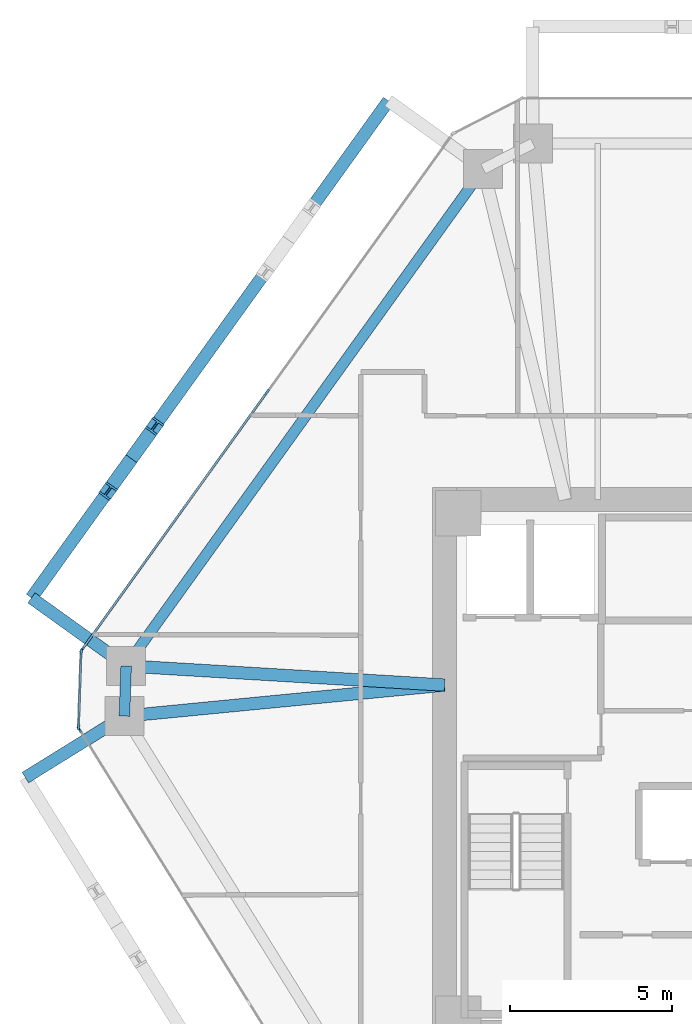
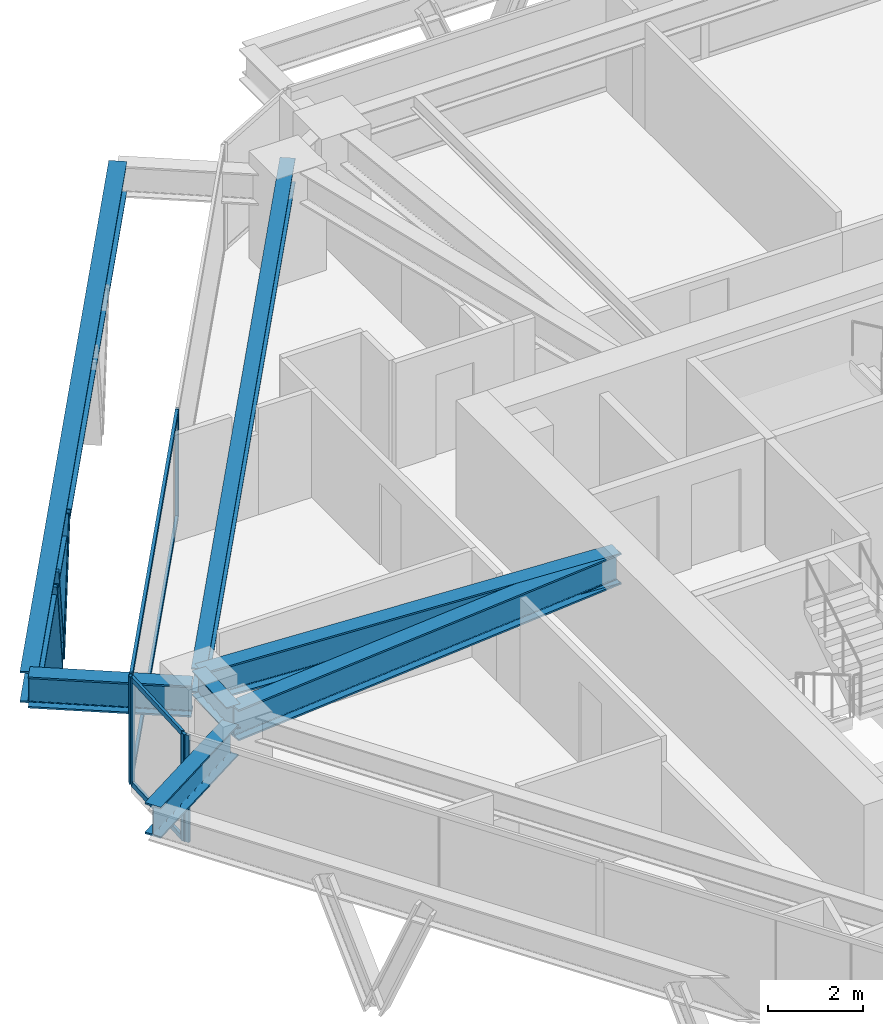
# One storey, part 4 of 14: 11 members, 7 beams, 3 elements without a shape of their own.
"""IFC4 building model written with IfcOpenShell, lengths in metres."""

from ifc_helpers import new_model, si_unit, direction, frame, origin, origin_2d, place, context, subcontext, project, spatial, rectangle, i_section, extrude, source, transform, mapped, material, layer, layer_set, material_profile, profile_set, type_object, type_shapes, element, aggregate, save


model = new_model("IFC4")

# Units and contexts
model_context = context("Model", 3, precision=1e-05, world=origin(), true_north=direction((0.0, 1.0)))
body_context = subcontext(model_context, "Body", "Model", "MODEL_VIEW")
ifc_project = project(units=[si_unit("LENGTHUNIT", "METRE"), si_unit("AREAUNIT", "SQUARE_METRE"), si_unit("VOLUMEUNIT", "CUBIC_METRE"), si_unit("PLANEANGLEUNIT", "RADIAN"), si_unit("MASSUNIT", "GRAM", prefix="KILO")], contexts=[model_context])

# Site, building, storey
site_placement = place(None, origin())
site = spatial("IfcSite", under=ifc_project, at=site_placement, CompositionType="ELEMENT")
building_placement = place(site_placement, origin())
building = spatial("IfcBuilding", under=site, at=building_placement, Name="Durnholm Broadcast Tower", CompositionType="ELEMENT")
storey_placement = place(building_placement, frame((0.0, 0.0, 140.10009765625)))
storey = spatial("IfcBuildingStorey", under=building, at=storey_placement, Name="L38", CompositionType="ELEMENT", Elevation=140.10009765625)

# Beams
ifc_material_1 = material(Name="Steel ASTM A992 Grade 50", Category="steel")
ifc_material_profile_1 = material_profile(ifc_material_1, i_section(OverallWidth=0.385009765625, OverallDepth=0.802978515625, WebThickness=0.023681640625, FlangeThickness=0.0419921875, FilletRadius=0.032958984375, at=origin_2d()), Name="W30X261")
ifc_profile_set_1 = profile_set([ifc_material_profile_1], Name="Steel ASTM A992 Grade 50")
beam_type_1 = type_object("IfcBeamType", Name="BM-EXO-TIE", PredefinedType="USERDEFINED", material=ifc_profile_set_1)
shared_shape_1 = source(origin(), body_context, "Body", "SweptSolid", [
    extrude(i_section(OverallWidth=0.385009765625, OverallDepth=0.802978515625, WebThickness=0.023681640625, FlangeThickness=0.0419921875, FilletRadius=0.032958984375, at=origin_2d()), origin(), (0.0, 0.0, 1.0), 3.4560546875),
])
for number, where, z_axis, x_axis, name in (
    (1, (-20.1669921875, 3.175048828125, 2.008544921875), (-0.812164951739, 0.583427880005, 0.0), (-0.583427880005, -0.812164951739, 0.0), "L38 exoskeleton stand-off tie bracket F5.2"),
    (2, (-20.22509765625, 1.465576171875, 2.008544921875), (-0.849795112316, -0.527113144481, 0.0), (0.527113144481, -0.849795112316, 0.0), "L38 exoskeleton stand-off tie bracket F6.1"),
):
    element("IfcBeam", number, at=place(storey_placement, frame(where, z_axis=z_axis, x_axis=x_axis)), inside=storey, type_object=beam_type_1, Name=name, ObjectType="GIRDER", PredefinedType="USERDEFINED", context=body_context, shape_type="MappedRepresentation", body=[
        mapped(shared_shape_1, transform((0.0, 0.0, 0.0), x_axis=(1.0, 0.0, 0.0), y_axis=(0.0, 1.0, 0.0), z_axis=(0.0, 0.0, 1.0), scale=1.0)),
    ])
ifc_material_profile_2 = material_profile(ifc_material_1, i_section(OverallWidth=0.3291015625, OverallDepth=0.635009765625, WebThickness=0.017822265625, FlangeThickness=0.031005859375, FilletRadius=0.02783203125, at=origin_2d()), Name="W24X162")
ifc_profile_set_2 = profile_set([ifc_material_profile_2], Name="Steel ASTM A992 Grade 50")
beam_type_2 = type_object("IfcBeamType", Name="STL-SP-W24X162", PredefinedType="SPANDREL", material=ifc_profile_set_2)
shared_shape_2 = source(origin(), body_context, "Body", "SweptSolid", [
    extrude(i_section(OverallWidth=0.3291015625, OverallDepth=0.635009765625, WebThickness=0.017822265625, FlangeThickness=0.031005859375, FilletRadius=0.02783203125, at=origin_2d()), origin(), (0.0, 0.0, 1.0), 1.550537109375),
])
beam_1_placement = place(storey_placement, frame((-20.102783203125, 1.54150390625, 2.427490234375), z_axis=(0.034012135923, 0.999421419928, 0.0), x_axis=(-0.999421419928, 0.034012135923, 0.0)))
element("IfcBeam", 3, at=beam_1_placement, inside=storey, type_object=beam_type_2, Name="L38 perimeter spandrel girder 02", PredefinedType="SPANDREL", context=body_context, shape_type="MappedRepresentation", body=[
    mapped(shared_shape_2, transform((0.0, 0.0, 0.0), x_axis=(1.0, 0.0, 0.0), y_axis=(0.0, 1.0, 0.0), z_axis=(0.0, 0.0, 1.0), scale=1.0)),
])
shared_shape_3 = source(origin(), body_context, "Body", "SweptSolid", [
    extrude(i_section(OverallWidth=0.3291015625, OverallDepth=0.635009765625, WebThickness=0.017822265625, FlangeThickness=0.031005859375, FilletRadius=0.02783203125, at=origin_2d()), origin(), (0.0, 0.0, 1.0), 18.884521484375),
])
type_shapes(beam_type_2, [shared_shape_2, shared_shape_3])
beam_2_placement = place(storey_placement, frame((-20.050048828125, 3.091064453125, 2.427490234375), z_axis=(0.583443434414, 0.812153777827, 0.0), x_axis=(-0.812153777827, 0.583443434414, 0.0)))
element("IfcBeam", 4, at=beam_2_placement, inside=storey, type_object=beam_type_2, Name="L38 perimeter spandrel girder 03", PredefinedType="SPANDREL", context=body_context, shape_type="MappedRepresentation", body=[
    mapped(shared_shape_3, transform((0.0, 0.0, 0.0), x_axis=(1.0, 0.0, 0.0), y_axis=(0.0, 1.0, 0.0), z_axis=(0.0, 0.0, 1.0), scale=1.0)),
])
ifc_material_profile_3 = material_profile(ifc_material_1, i_section(OverallWidth=0.385009765625, OverallDepth=0.802978515625, WebThickness=0.023681640625, FlangeThickness=0.0419921875, FilletRadius=0.032958984375, at=origin_2d()), Name="W30X261")
ifc_profile_set_3 = profile_set([ifc_material_profile_3], Name="Steel ASTM A992 Grade 50")
beam_type_3 = type_object("IfcBeamType", Name="STL-GR-W30X261", PredefinedType="USERDEFINED", material=ifc_profile_set_3)
shared_shape_4 = source(origin(), body_context, "Body", "SweptSolid", [
    extrude(i_section(OverallWidth=0.385009765625, OverallDepth=0.802978515625, WebThickness=0.023681640625, FlangeThickness=0.0419921875, FilletRadius=0.032958984375, at=origin_2d()), origin(), (0.0, 0.0, 1.0), 9.924072265625),
])
beam_3_placement = place(storey_placement, frame((-10.22509765625, 2.5, 2.343505859375), z_axis=(-0.995324947968, -0.096582855378, 0.0), x_axis=(0.096582855378, -0.995324947968, 0.0)))
element("IfcBeam", 5, at=beam_3_placement, inside=storey, type_object=beam_type_3, Name="L38 radial primary floor girder 02", ObjectType="GIRDER", PredefinedType="USERDEFINED", context=body_context, shape_type="MappedRepresentation", body=[
    mapped(shared_shape_4, transform((0.0, 0.0, 0.0), x_axis=(1.0, 0.0, 0.0), y_axis=(0.0, 1.0, 0.0), z_axis=(0.0, 0.0, 1.0), scale=1.0)),
])
shared_shape_5 = source(origin(), body_context, "Body", "SweptSolid", [
    extrude(i_section(OverallWidth=0.385009765625, OverallDepth=0.802978515625, WebThickness=0.023681640625, FlangeThickness=0.0419921875, FilletRadius=0.032958984375, at=origin_2d()), origin(), (0.0, 0.0, 1.0), 9.8427734375),
])
type_shapes(beam_type_3, [shared_shape_4, shared_shape_5])
beam_4_placement = place(storey_placement, frame((-10.22509765625, 2.5, 2.343505859375), z_axis=(-0.998195312551, 0.0600509617, 0.0), x_axis=(-0.0600509617, -0.998195312551, 0.0)))
element("IfcBeam", 6, at=beam_4_placement, inside=storey, type_object=beam_type_3, Name="L38 radial primary floor girder 03", ObjectType="GIRDER", PredefinedType="USERDEFINED", context=body_context, shape_type="MappedRepresentation", body=[
    mapped(shared_shape_5, transform((0.0, 0.0, 0.0), x_axis=(1.0, 0.0, 0.0), y_axis=(0.0, 1.0, 0.0), z_axis=(0.0, 0.0, 1.0), scale=1.0)),
])
shared_shape_6 = source(origin(), body_context, "Body", "SweptSolid", [
    extrude(i_section(OverallWidth=0.385009765625, OverallDepth=0.802978515625, WebThickness=0.023681640625, FlangeThickness=0.0419921875, FilletRadius=0.032958984375, at=origin_2d()), origin(), (0.0, 0.0, 1.0), 18.884765625),
])
type_shapes(beam_type_1, [shared_shape_1, shared_shape_6])
beam_5_placement = place(storey_placement, frame((-11.955810546875, 20.52880859375, 2.008544921875), z_axis=(-0.583437308554, -0.812158178551, 0.0), x_axis=(0.812158178551, -0.583437308554, 0.0)))
element("IfcBeam", 7, at=beam_5_placement, inside=storey, type_object=beam_type_1, Name="L38 exoskeleton collector spandrel F5", PredefinedType="SPANDREL", context=body_context, shape_type="MappedRepresentation", body=[
    mapped(shared_shape_6, transform((0.0, 0.0, 0.0), x_axis=(1.0, 0.0, 0.0), y_axis=(0.0, 1.0, 0.0), z_axis=(0.0, 0.0, 1.0), scale=1.0)),
])

# Members
ifc_material_2 = material(Name="Steel ASTM A913 Grade 65", Category="steel")
ifc_material_profile_4 = material_profile(ifc_material_2, i_section(OverallWidth=0.41845703125, OverallDepth=0.455078125, WebThickness=0.0419921875, FlangeThickness=0.067626953125, FilletRadius=0.030517578125, at=origin_2d()), Name="W14X370")
ifc_profile_set_4 = profile_set([ifc_material_profile_4], Name="Steel ASTM A913 Grade 65")
member_type_1 = type_object("IfcMemberType", Name="STL-DG-W14X370", PredefinedType="BRACE", material=ifc_profile_set_4)
shared_shape_7 = source(origin(), body_context, "Body", "SweptSolid", [
    extrude(i_section(OverallWidth=0.41845703125, OverallDepth=0.455078125, WebThickness=0.0419921875, FlangeThickness=0.067626953125, FilletRadius=0.030517578125, at=origin_2d()), origin(), (0.0, 0.0, 1.0), 3.243896484375),
])
member_1_placement = place(storey_placement, frame((-19.888916015625, 9.48583984375, -0.991455078125), z_axis=(0.221947394098, 0.308950170489, 0.924818439699), x_axis=(-0.812153063014, 0.583444429434, 0.0)))
element("IfcMember", 8, at=member_1_placement, inside=storey, type_object=member_type_1, Name="L38 stand-off diagrid brace F5.D2.1", PredefinedType="BRACE", context=body_context, shape_type="MappedRepresentation", body=[
    mapped(shared_shape_7, transform((0.0, 0.0, 0.0), x_axis=(1.0, 0.0, 0.0), y_axis=(0.0, 1.0, 0.0), z_axis=(0.0, 0.0, 1.0), scale=1.0)),
])
shared_shape_8 = source(origin(), body_context, "Body", "SweptSolid", [
    extrude(i_section(OverallWidth=0.41845703125, OverallDepth=0.455078125, WebThickness=0.0419921875, FlangeThickness=0.067626953125, FilletRadius=0.030517578125, at=origin_2d()), origin(), (0.0, 0.0, 1.0), 3.24365234375),
])
type_shapes(member_type_1, [shared_shape_7, shared_shape_8])
member_2_placement = place(storey_placement, frame((-19.888916015625, 9.48583984375, -0.991455078125), z_axis=(-0.22188099666, -0.308887249081, 0.924855389062), x_axis=(0.812179469647, -0.583407669717, 0.0)))
element("IfcMember", 9, at=member_2_placement, inside=storey, type_object=member_type_1, Name="L38 stand-off diagrid brace F5.D2.2", PredefinedType="BRACE", context=body_context, shape_type="MappedRepresentation", body=[
    mapped(shared_shape_8, transform((0.0, 0.0, 0.0), x_axis=(1.0, 0.0, 0.0), y_axis=(0.0, 1.0, 0.0), z_axis=(0.0, 0.0, 1.0), scale=1.0)),
])

# Curtain wall, members
ifc_material_3 = material(Name="Aluminium and Solar Control IGU", Category="aluminium")
ifc_layer_1 = layer(ifc_material_3, 0.1650390625)
ifc_layer_set_1 = layer_set([ifc_layer_1], Name="Aluminium and Solar Control IGU")
curtain_wall_type_1 = type_object("IfcCurtainWallType", Name="CW-SYS-5", PredefinedType="NOTDEFINED", material=ifc_layer_set_1)
curtain_wall_1_placement = place(storey_placement, origin())
curtain_wall_1 = element("IfcCurtainWall", 10, at=curtain_wall_1_placement, inside=storey, type_object=curtain_wall_type_1, Name="L38 curtain wall CW-CORNER CW-L38-CRN-01", PredefinedType="NOTDEFINED")
ifc_material_4 = material(Name="Aluminium 6063-T6", Category="aluminium")
ifc_material_profile_5 = material_profile(ifc_material_4, rectangle(XDim=0.06494140625, YDim=0.1650390625, at=origin_2d()), Name="CWM65X165")
ifc_profile_set_5 = profile_set([ifc_material_profile_5], Name="Aluminium 6063-T6")
member_type_2 = type_object("IfcMemberType", Name="CW-SYS-5-MUL", PredefinedType="MULLION", material=ifc_profile_set_5)
shared_shape_9 = source(origin(), body_context, "Body", "SweptSolid", [
    extrude(rectangle(XDim=0.06494140625, YDim=0.1650390625, at=origin_2d()), origin(), (0.0, 0.0, 1.0), 2.760009765625),
])
type_shapes(member_type_2, [shared_shape_9])
member_3_placement = place(storey_placement, frame((-21.51513671875, 1.19677734375, 0.0), z_axis=(0.0, 0.0, 1.0), x_axis=(-0.999424655155, 0.033916937775, 0.0)))
member_3 = element("IfcMember", 11, at=member_3_placement, type_object=member_type_2, Name="CW-CORNER mullion 1", PredefinedType="MULLION", context=body_context, shape_type="MappedRepresentation", body=[
    mapped(shared_shape_9, transform((0.0, 0.0, 0.0), x_axis=(1.0, 0.0, 0.0), y_axis=(0.0, 1.0, 0.0), z_axis=(0.0, 0.0, 1.0), scale=1.0)),
])
member_4_placement = place(storey_placement, frame((-21.43603515625, 3.530517578125, 0.0), z_axis=(0.0, 0.0, 1.0), x_axis=(-0.999424655155, 0.033916937775, 0.0)))
member_4 = element("IfcMember", 12, at=member_4_placement, type_object=member_type_2, Name="CW-CORNER mullion 2", PredefinedType="MULLION", context=body_context, shape_type="MappedRepresentation", body=[
    mapped(shared_shape_9, transform((0.0, 0.0, 0.0), x_axis=(1.0, 0.0, 0.0), y_axis=(0.0, 1.0, 0.0), z_axis=(0.0, 0.0, 1.0), scale=1.0)),
])

ifc_layer_2 = layer(ifc_material_3, 0.18994140625)
ifc_layer_set_2 = layer_set([ifc_layer_2], Name="Aluminium and Solar Control IGU")
curtain_wall_type_2 = type_object("IfcCurtainWallType", Name="CW-SYS-3", PredefinedType="NOTDEFINED", material=ifc_layer_set_2)
curtain_wall_2_placement = place(storey_placement, origin())
curtain_wall_2 = element("IfcCurtainWall", 13, at=curtain_wall_2_placement, inside=storey, type_object=curtain_wall_type_2, Name="L38 curtain wall CW-Z12-VIS CW-L38-F02", PredefinedType="NOTDEFINED")
ifc_material_profile_6 = material_profile(ifc_material_4, rectangle(XDim=0.070068359375, YDim=0.18994140625, at=origin_2d()), Name="CWM70X190")
ifc_profile_set_6 = profile_set([ifc_material_profile_6], Name="Aluminium 6063-T6")
member_type_3 = type_object("IfcMemberType", Name="CW-SYS-3-MUL", PredefinedType="MULLION", material=ifc_profile_set_6)
shared_shape_10 = source(origin(), body_context, "Body", "SweptSolid", [
    extrude(rectangle(XDim=0.070068359375, YDim=0.18994140625, at=origin_2d()), origin(), (0.0, 0.0, 1.0), 2.760009765625),
])
type_shapes(member_type_3, [shared_shape_10])
member_5_placement = place(storey_placement, frame((-21.41455078125, 3.59130859375, 0.0), z_axis=(0.0, 0.0, 1.0), x_axis=(-0.812152312759, 0.583445473786, 0.0)))
member_5 = element("IfcMember", 14, at=member_5_placement, type_object=member_type_3, Name="CW-Z12-VIS mullion 1", PredefinedType="MULLION", context=body_context, shape_type="MappedRepresentation", body=[
    mapped(shared_shape_10, transform((0.0, 0.0, 0.0), x_axis=(1.0, 0.0, 0.0), y_axis=(0.0, 1.0, 0.0), z_axis=(0.0, 0.0, 1.0), scale=1.0)),
])
member_6_placement = place(storey_placement, frame((-15.703369140625, 11.541259765625, 0.0), z_axis=(0.0, 0.0, 1.0), x_axis=(-0.812152312759, 0.583445473786, 0.0)))
member_6 = element("IfcMember", 15, at=member_6_placement, type_object=member_type_3, Name="CW-Z12-VIS mullion 2", PredefinedType="MULLION", context=body_context, shape_type="MappedRepresentation", body=[
    mapped(shared_shape_10, transform((0.0, 0.0, 0.0), x_axis=(1.0, 0.0, 0.0), y_axis=(0.0, 1.0, 0.0), z_axis=(0.0, 0.0, 1.0), scale=1.0)),
])

# Curtain wall, member
curtain_wall_3_placement = place(storey_placement, origin())
curtain_wall_3 = element("IfcCurtainWall", 16, at=curtain_wall_3_placement, inside=storey, type_object=curtain_wall_type_2, Name="L38 curtain wall CW-Z12-VIS CW-L38-F12", PredefinedType="NOTDEFINED")
member_7_placement = place(storey_placement, frame((-21.497802734375, 1.134765625, 0.0), z_axis=(0.0, 0.0, 1.0), x_axis=(-0.849799925229, -0.527105385176, 0.0)))
member_7 = element("IfcMember", 17, at=member_7_placement, type_object=member_type_3, Name="CW-Z12-VIS mullion 3", PredefinedType="MULLION", context=body_context, shape_type="MappedRepresentation", body=[
    mapped(shared_shape_10, transform((0.0, 0.0, 0.0), x_axis=(1.0, 0.0, 0.0), y_axis=(0.0, 1.0, 0.0), z_axis=(0.0, 0.0, 1.0), scale=1.0)),
])
aggregate(curtain_wall_3, [member_7])

# Member
ifc_material_profile_7 = material_profile(ifc_material_4, rectangle(XDim=0.06494140625, YDim=0.1298828125, at=origin_2d()), Name="CWT65X130")
ifc_profile_set_7 = profile_set([ifc_material_profile_7], Name="Aluminium 6063-T6")
member_type_4 = type_object("IfcMemberType", Name="CW-SYS-5-TRN", PredefinedType="USERDEFINED", material=ifc_profile_set_7)
shared_shape_11 = source(origin(), body_context, "Body", "SweptSolid", [
    extrude(rectangle(XDim=0.06494140625, YDim=0.1298828125, at=origin_2d()), origin(), (0.0, 0.0, 1.0), 2.27001953125),
])
type_shapes(member_type_4, [shared_shape_11])
member_8_placement = place(storey_placement, frame((-21.51416015625, 1.229248046875, 0.032470703125), z_axis=(0.03398444704, 0.999422361847, 0.0), x_axis=(-0.999422361847, 0.03398444704, 0.0)))
member_8 = element("IfcMember", 18, at=member_8_placement, type_object=member_type_4, Name="CW-CORNER transom 1.1", ObjectType="TRANSOM", PredefinedType="USERDEFINED", context=body_context, shape_type="MappedRepresentation", body=[
    mapped(shared_shape_11, transform((0.0, 0.0, 0.0), x_axis=(1.0, 0.0, 0.0), y_axis=(0.0, 1.0, 0.0), z_axis=(0.0, 0.0, 1.0), scale=1.0)),
])

member_9_placement = place(storey_placement, frame((-21.51416015625, 1.229248046875, 2.727294921875), z_axis=(0.03398444704, 0.999422361847, 0.0), x_axis=(-0.999422361847, 0.03398444704, 0.0)))
member_9 = element("IfcMember", 19, at=member_9_placement, type_object=member_type_4, Name="CW-CORNER transom 1.2", ObjectType="TRANSOM", PredefinedType="USERDEFINED", context=body_context, shape_type="MappedRepresentation", body=[
    mapped(shared_shape_11, transform((0.0, 0.0, 0.0), x_axis=(1.0, 0.0, 0.0), y_axis=(0.0, 1.0, 0.0), z_axis=(0.0, 0.0, 1.0), scale=1.0)),
])

aggregate(curtain_wall_1, [member_3, member_4, member_8, member_9])

ifc_material_profile_8 = material_profile(ifc_material_4, rectangle(XDim=0.070068359375, YDim=0.14990234375, at=origin_2d()), Name="CWT70X150")
ifc_profile_set_8 = profile_set([ifc_material_profile_8], Name="Aluminium 6063-T6")
member_type_5 = type_object("IfcMemberType", Name="CW-SYS-3-TRN", PredefinedType="USERDEFINED", material=ifc_profile_set_8)
shared_shape_12 = source(origin(), body_context, "Body", "SweptSolid", [
    extrude(rectangle(XDim=0.070068359375, YDim=0.14990234375, at=origin_2d()), origin(), (0.0, 0.0, 1.0), 9.71875),
])
type_shapes(member_type_5, [shared_shape_12])
member_10_placement = place(storey_placement, frame((-21.39404296875, 3.619873046875, 0.034912109375), z_axis=(0.583450726174, 0.812148539448, 0.0), x_axis=(-0.812148539448, 0.583450726174, 0.0)))
member_10 = element("IfcMember", 20, at=member_10_placement, type_object=member_type_5, Name="CW-Z12-VIS transom 1.1", ObjectType="TRANSOM", PredefinedType="USERDEFINED", context=body_context, shape_type="MappedRepresentation", body=[
    mapped(shared_shape_12, transform((0.0, 0.0, 0.0), x_axis=(1.0, 0.0, 0.0), y_axis=(0.0, 1.0, 0.0), z_axis=(0.0, 0.0, 1.0), scale=1.0)),
])

member_11_placement = place(storey_placement, frame((-21.39404296875, 3.619873046875, 2.724853515625), z_axis=(0.583450726174, 0.812148539448, 0.0), x_axis=(-0.812148539448, 0.583450726174, 0.0)))
member_11 = element("IfcMember", 21, at=member_11_placement, type_object=member_type_5, Name="CW-Z12-VIS transom 1.2", ObjectType="TRANSOM", PredefinedType="USERDEFINED", context=body_context, shape_type="MappedRepresentation", body=[
    mapped(shared_shape_12, transform((0.0, 0.0, 0.0), x_axis=(1.0, 0.0, 0.0), y_axis=(0.0, 1.0, 0.0), z_axis=(0.0, 0.0, 1.0), scale=1.0)),
])

aggregate(curtain_wall_2, [member_5, member_6, member_10, member_11])

save(model, "model.ifc")
